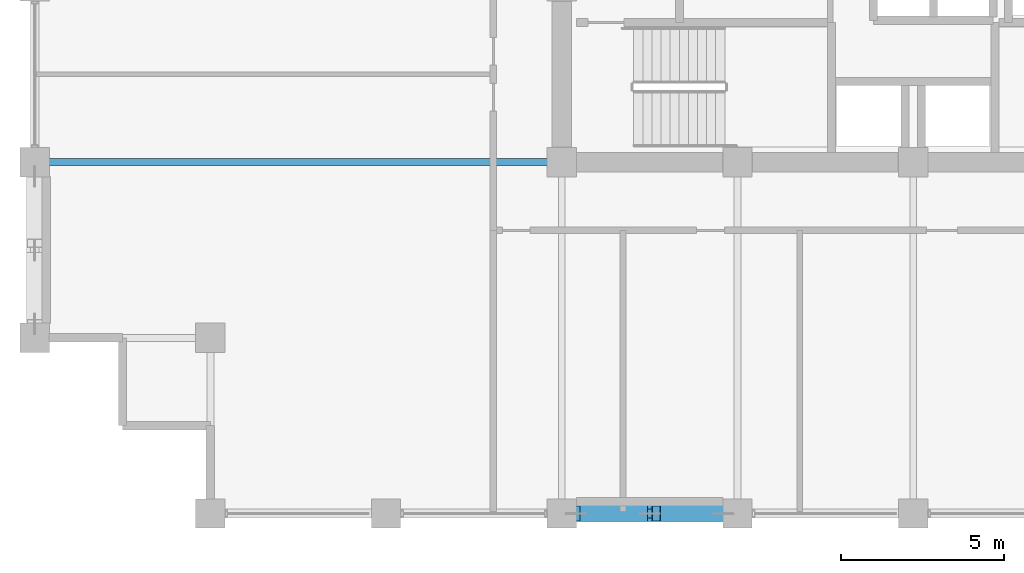
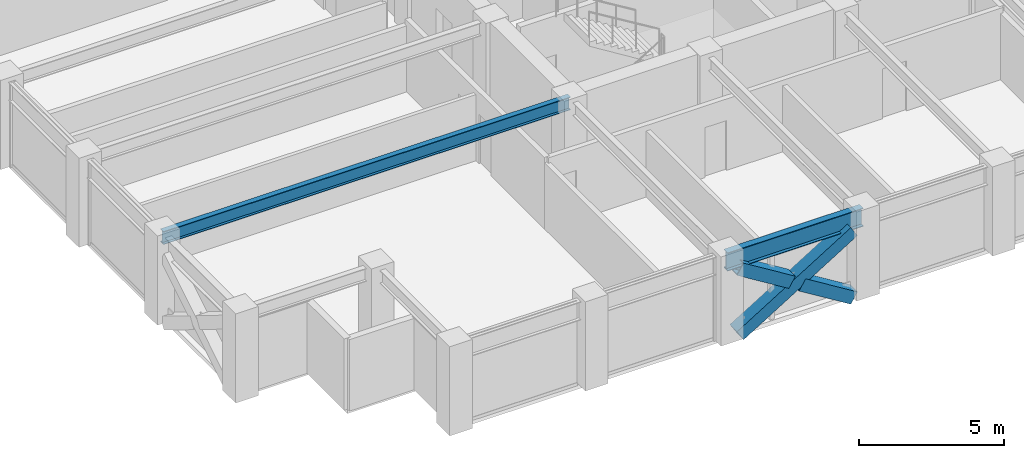
# One storey, part 5 of 32: 3 members, 2 beams.
"""IFC4 building model written with IfcOpenShell, lengths in metres."""

from ifc_helpers import new_model, si_unit, direction, frame, origin, origin_2d, place, context, subcontext, project, spatial, hollow_rectangle, i_section, extrude, material, material_profile, profile_set, type_object, element, save


model = new_model("IFC4")

# Units and contexts
model_context = context("Model", 3, precision=1e-05, world=origin(), true_north=direction((0.0, 1.0)))
body_context = subcontext(model_context, "Body", "Model", "MODEL_VIEW")
ifc_project = project(units=[si_unit("LENGTHUNIT", "METRE"), si_unit("AREAUNIT", "SQUARE_METRE"), si_unit("VOLUMEUNIT", "CUBIC_METRE"), si_unit("PLANEANGLEUNIT", "RADIAN"), si_unit("MASSUNIT", "GRAM", prefix="KILO")], contexts=[model_context])

# Site, building, storey
site_placement = place(None, origin())
site = spatial("IfcSite", under=ifc_project, at=site_placement, CompositionType="ELEMENT")
building_placement = place(site_placement, origin())
building = spatial("IfcBuilding", under=site, at=building_placement, Name="Surkhivell Harbour Commons", CompositionType="ELEMENT")
storey_placement = place(building_placement, frame((0.0, 0.0, 212.25)))
storey = spatial("IfcBuildingStorey", under=building, at=storey_placement, Name="L55", CompositionType="ELEMENT", Elevation=212.25)

# Beams
ifc_material_1 = material(Name="Steel S355", Category="steel")
ifc_material_profile_1 = material_profile(ifc_material_1, i_section(OverallWidth=0.2119140625, OverallDepth=0.5439453125, WebThickness=0.0126953125, FlangeThickness=0.021240234375, at=origin_2d()), Name="UB533x210x122")
ifc_profile_set_1 = profile_set([ifc_material_profile_1], Name="Steel S355")
beam_type_1 = type_object("IfcBeamType", Name="BM-GRD-533A", PredefinedType="BEAM", material=ifc_profile_set_1)
beam_1_placement = place(storey_placement, frame((-27.0, -10.800048828125, 3.298095703125), z_axis=(1.0, 0.0, 0.0), x_axis=(0.0, 1.0, 0.0)))
element("IfcBeam", 1, at=beam_1_placement, inside=storey, type_object=beam_type_1, Name="L55 Floor Girder (-27.0,-10.8)", PredefinedType="BEAM", context=body_context, shape_type="SweptSolid", body=[
    extrude(i_section(OverallWidth=0.2119140625, OverallDepth=0.5439453125, WebThickness=0.0126953125, FlangeThickness=0.021240234375, at=origin_2d()), origin(), (0.0, 0.0, 1.0), 16.199951171875),
])
ifc_material_profile_2 = material_profile(ifc_material_1, i_section(OverallWidth=0.26806640625, OverallDepth=0.77001953125, WebThickness=0.015625, FlangeThickness=0.025390625, at=origin_2d()), Name="UB762x267x197")
ifc_profile_set_2 = profile_set([ifc_material_profile_2], Name="Steel S355")
beam_type_2 = type_object("IfcBeamType", Name="BM-SPN-762", PredefinedType="SPANDREL", material=ifc_profile_set_2)
beam_2_placement = place(storey_placement, frame((-10.800048828125, -21.60009765625, 3.18505859375), z_axis=(1.0, 0.0, 0.0), x_axis=(0.0, 1.0, 0.0)))
element("IfcBeam", 2, at=beam_2_placement, inside=storey, type_object=beam_type_2, Name="L55 Tube Spandrel (-10.8,-21.6)", PredefinedType="SPANDREL", context=body_context, shape_type="SweptSolid", body=[
    extrude(i_section(OverallWidth=0.26806640625, OverallDepth=0.77001953125, WebThickness=0.015625, FlangeThickness=0.025390625, at=origin_2d()), origin(), (0.0, 0.0, 1.0), 5.400146484375),
])

# Members
ifc_material_2 = material(Name="Steel S460", Category="steel")
ifc_material_profile_3 = material_profile(ifc_material_2, hollow_rectangle(XDim=0.5, YDim=0.5, WallThickness=0.02490234375, at=origin_2d()), Name="SHS500x500x25")
ifc_profile_set_3 = profile_set([ifc_material_profile_3], Name="Steel S460")
member_type = type_object("IfcMemberType", Name="MEM-BRC-SHS500", PredefinedType="BRACE", material=ifc_profile_set_3)
member_placement = place(storey_placement, frame((-10.364990234375, -21.60009765625, 0.008056640625), z_axis=(0.850971032488, 0.0, 0.525212625387), x_axis=(0.0, 1.0, 0.0)))
element("IfcMember", 3, at=member_placement, inside=storey, type_object=member_type, Name="L55 Perimeter Mega-Brace MB- 07", PredefinedType="BRACE", context=body_context, shape_type="SweptSolid", body=[
    extrude(hollow_rectangle(XDim=0.5, YDim=0.5, WallThickness=0.02490234375, at=origin_2d()), origin(), (0.0, 0.0, 1.0), 5.323486328125),
])
for number, where, z_axis, x_axis, name in (
    (4, (-5.8349609375, -21.60009765625, 0.008056640625), (-0.8510034189, 0.0, 0.525160147974), (0.0, -1.0, 0.0), "L55 Perimeter Mega-Brace MB- 08"),
    (5, (-8.30419921875, -21.60009765625, 1.531982421875), (-0.850958361341, 0.0, 0.525233155146), (0.0, -1.0, 0.0), "L55 Perimeter Mega-Brace MB- 09"),
):
    element("IfcMember", number, at=place(storey_placement, frame(where, z_axis=z_axis, x_axis=x_axis)), inside=storey, type_object=member_type, Name=name, PredefinedType="BRACE", context=body_context, shape_type="SweptSolid", body=[
        extrude(hollow_rectangle(XDim=0.5, YDim=0.5, WallThickness=0.02490234375, at=origin_2d()), origin(), (0.0, 0.0, 1.0), 2.421630859375),
    ])

save(model, "model.ifc")
